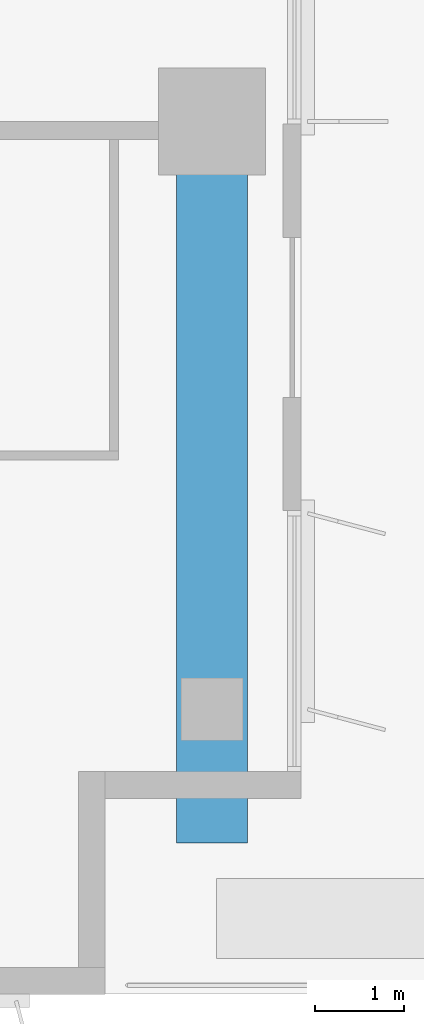
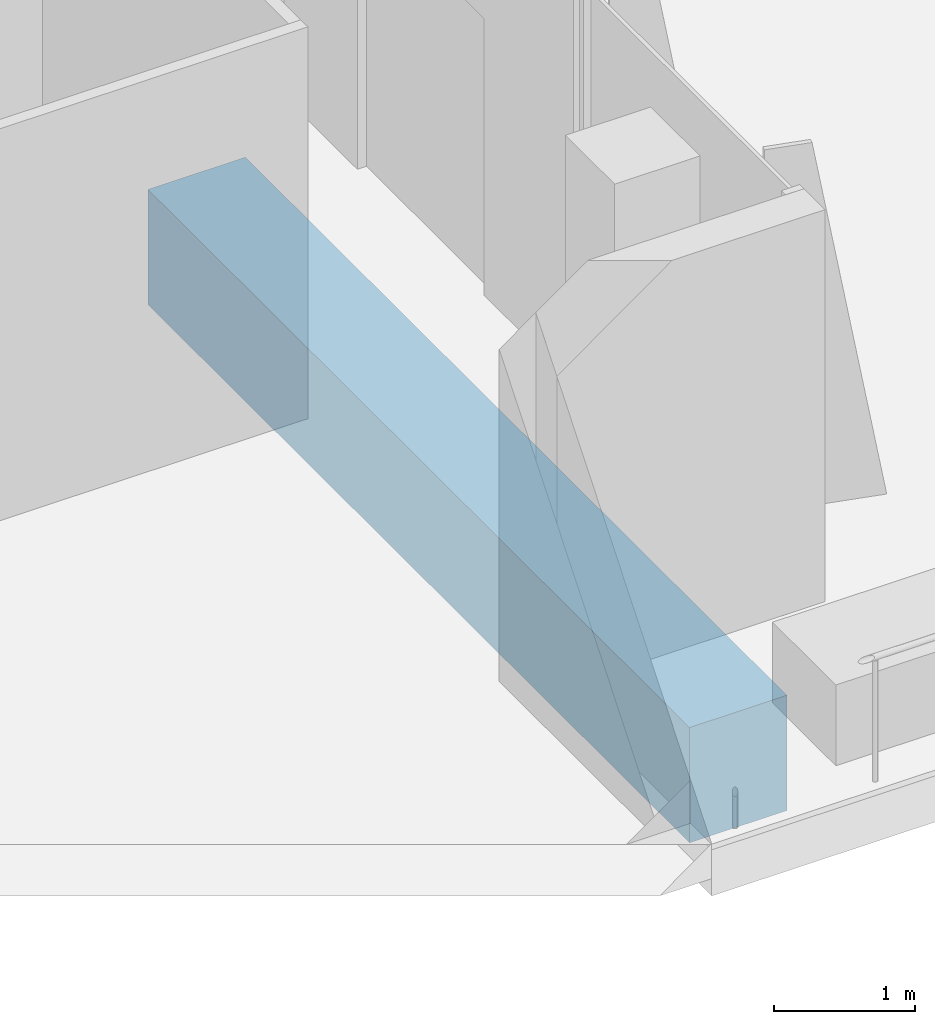
# One storey, part 3 of 27: 1 beam.
"""IFC4 building model written with IfcOpenShell, lengths in metres."""

from ifc_helpers import new_model, si_unit, direction, frame, origin, origin_2d, place, context, subcontext, project, spatial, rectangle, extrude, material, material_profile, profile_set, type_object, element, save


model = new_model("IFC4")

# Units and contexts
model_context = context("Model", 3, precision=1e-05, world=origin(), true_north=direction((0.0, 1.0)))
body_context = subcontext(model_context, "Body", "Model", "MODEL_VIEW")
ifc_project = project(units=[si_unit("LENGTHUNIT", "METRE"), si_unit("AREAUNIT", "SQUARE_METRE"), si_unit("VOLUMEUNIT", "CUBIC_METRE"), si_unit("PLANEANGLEUNIT", "RADIAN"), si_unit("MASSUNIT", "GRAM", prefix="KILO")], contexts=[model_context])

# Site, building, storey
site_placement = place(None, origin())
site = spatial("IfcSite", under=ifc_project, at=site_placement, CompositionType="ELEMENT")
building_placement = place(site_placement, origin())
building = spatial("IfcBuilding", under=site, at=building_placement, Name="Kemantara Hotel Tower", CompositionType="ELEMENT")
storey_placement = place(building_placement, frame((0.0, 0.0, 83.39990234375)))
storey = spatial("IfcBuildingStorey", under=building, at=storey_placement, Name="L19", CompositionType="ELEMENT", Elevation=83.39990234375)

# Beam
ifc_material = material(Name="Concrete fc 70 MPa", Category="concrete")
ifc_material_profile = material_profile(ifc_material, rectangle(XDim=0.800048828125, YDim=1.0, at=origin_2d()), Name="RC 800X1000")
ifc_profile_set = profile_set([ifc_material_profile], Name="Concrete fc 70 MPa")
beam_type = type_object("IfcBeamType", Name="RC TRANSFER BEAM 800X1000 FC70", PredefinedType="BEAM", material=ifc_profile_set)
beam_placement = place(storey_placement, frame((62.60009765625, 1.699951171875, -0.7998046875), z_axis=(0.0, 1.0, 0.0), x_axis=(-1.0, 0.0, 0.0)))
element("IfcBeam", 1, at=beam_placement, inside=storey, type_object=beam_type, Name="Transfer beam TB1 L19", PredefinedType="BEAM", context=body_context, shape_type="SweptSolid", body=[
    extrude(rectangle(XDim=0.800048828125, YDim=1.0, at=origin_2d()), origin(), (0.0, 0.0, 1.0), 7.699951171875),
])

save(model, "model.ifc")
